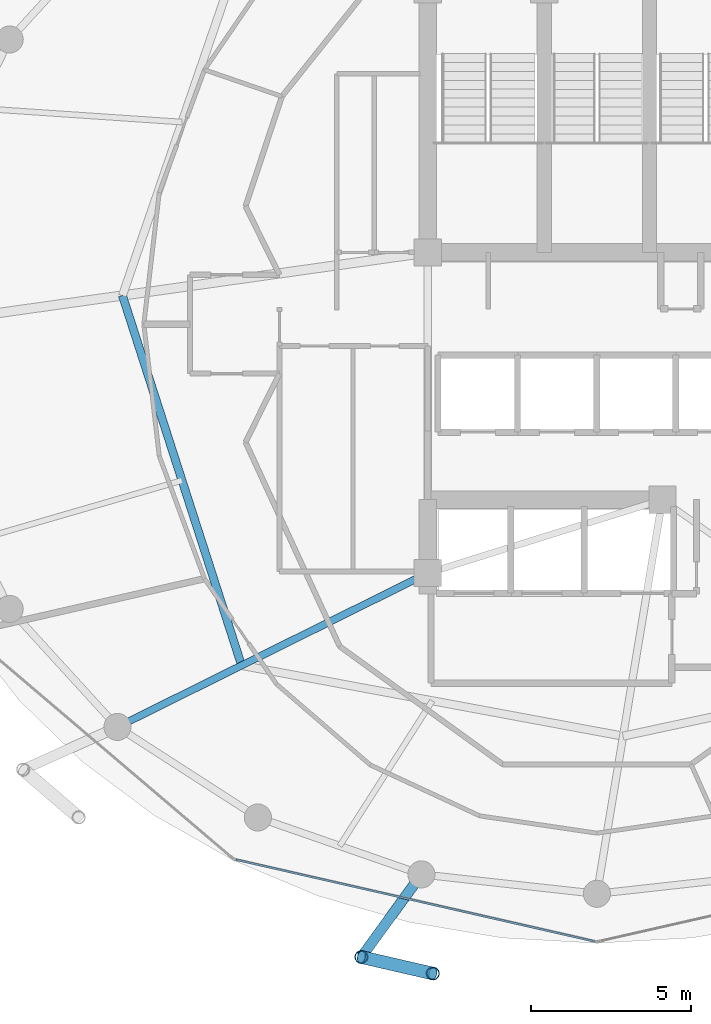
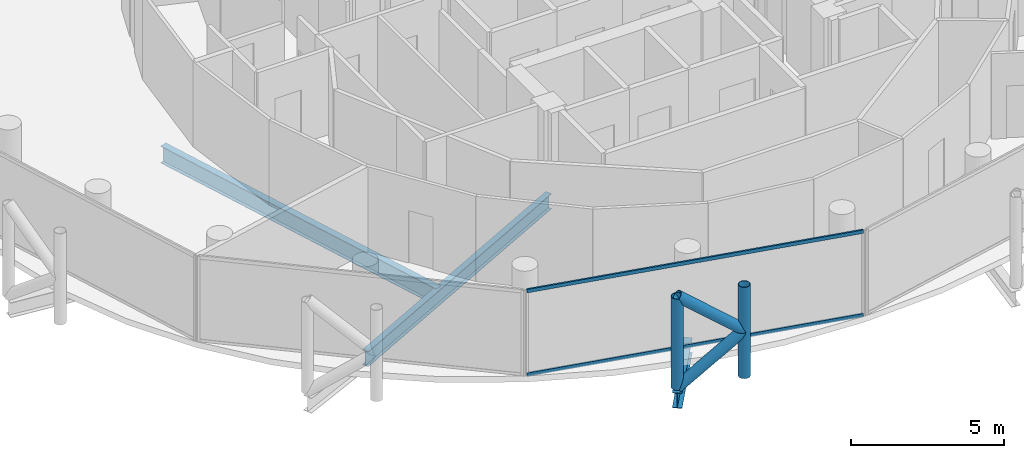
# One storey, part 4 of 27: 6 members, 3 beams, 1 element without a shape of its own.
"""IFC4 building model written with IfcOpenShell, lengths in metres."""

from ifc_helpers import new_model, si_unit, direction, frame, origin, origin_2d, place, context, subcontext, project, spatial, hollow_rectangle, hollow_circle, i_section, extrude, material, layer, layer_set, material_profile, profile_set, type_object, element, aggregate, save


model = new_model("IFC4")

# Units and contexts
model_context = context("Model", 3, precision=1e-05, world=origin(), true_north=direction((0.0, 1.0)))
body_context = subcontext(model_context, "Body", "Model", "MODEL_VIEW")
ifc_project = project(units=[si_unit("LENGTHUNIT", "METRE"), si_unit("AREAUNIT", "SQUARE_METRE"), si_unit("VOLUMEUNIT", "CUBIC_METRE"), si_unit("PLANEANGLEUNIT", "RADIAN"), si_unit("MASSUNIT", "GRAM", prefix="KILO")], contexts=[model_context])

# Site, building, storey
site_placement = place(None, origin())
site = spatial("IfcSite", under=ifc_project, at=site_placement, CompositionType="ELEMENT")
building_placement = place(site_placement, origin())
building = spatial("IfcBuilding", under=site, at=building_placement, Name="Nuhasar Tower", CompositionType="ELEMENT")
storey_placement = place(building_placement, frame((0.0, 0.0, 208.14990234375)))
storey = spatial("IfcBuildingStorey", under=building, at=storey_placement, Name="L50", CompositionType="ELEMENT", Elevation=208.14990234375)

# Beams
ifc_material_1 = material(Name="Steel S355", Category="steel")
ifc_material_profile_1 = material_profile(ifc_material_1, i_section(OverallWidth=0.25390625, OverallDepth=0.68408203125, WebThickness=0.012451171875, FlangeThickness=0.018798828125, at=origin_2d()), Name="W27X94")
ifc_profile_set_1 = profile_set([ifc_material_profile_1], Name="Steel S355")
beam_type_1 = type_object("IfcBeamType", Name="BM-INRING-W27X94", PredefinedType="BEAM", material=ifc_profile_set_1)
beam_1_placement = place(storey_placement, frame((24.1298828125, 27.699951171875, -0.581787109375), z_axis=(0.306589852134, -0.951841721385, 0.0), x_axis=(0.951841721385, 0.306589852134, 0.0)))
element("IfcBeam", 1, at=beam_1_placement, inside=storey, type_object=beam_type_1, Name="L50 Inner Header Beam 08", PredefinedType="BEAM", context=body_context, shape_type="SweptSolid", body=[
    extrude(i_section(OverallWidth=0.25390625, OverallDepth=0.68408203125, WebThickness=0.012451171875, FlangeThickness=0.018798828125, at=origin_2d()), origin(), (0.0, 0.0, 1.0), 12.179443359375),
])
ifc_material_profile_2 = material_profile(ifc_material_1, i_section(OverallWidth=0.22900390625, OverallDepth=0.612060546875, WebThickness=0.011962890625, FlangeThickness=0.01953125, at=origin_2d()), Name="W24X84")
ifc_profile_set_2 = profile_set([ifc_material_profile_2], Name="Steel S355")
beam_type_2 = type_object("IfcBeamType", Name="BM-RAD-W24X84", PredefinedType="BEAM", material=ifc_profile_set_2)
beam_2_placement = place(storey_placement, frame((33.699951171875, 19.0, -0.5458984375), z_axis=(-0.895928935233, -0.444197414459, 0.0), x_axis=(0.444197414459, -0.895928935233, 0.0)))
element("IfcBeam", 2, at=beam_2_placement, inside=storey, type_object=beam_type_2, Name="L50 Radial Floor Girder 01", PredefinedType="BEAM", context=body_context, shape_type="SweptSolid", body=[
    extrude(i_section(OverallWidth=0.22900390625, OverallDepth=0.612060546875, WebThickness=0.011962890625, FlangeThickness=0.01953125, at=origin_2d()), origin(), (0.0, 0.0, 1.0), 10.85546875),
])
ifc_material_profile_3 = material_profile(ifc_material_1, i_section(OverallWidth=0.323974609375, OverallDepth=0.611083984375, WebThickness=0.0126953125, FlangeThickness=0.01904296875, at=origin_2d()), Name="W24X104")
ifc_profile_set_3 = profile_set([ifc_material_profile_3], Name="Steel S355")
beam_type_3 = type_object("IfcBeamType", Name="BM-TIE-W24X104", PredefinedType="BEAM", material=ifc_profile_set_3)
beam_3_placement = place(storey_placement, frame((33.5, 9.55810546875, -0.544921875), z_axis=(-0.588094663461, -0.808792103577, 0.0), x_axis=(0.808792103577, -0.588094663461, 0.0)))
element("IfcBeam", 3, at=beam_3_placement, inside=storey, type_object=beam_type_3, Name="L50 Exoskeleton Node Tie Beam 09", PredefinedType="BEAM", context=body_context, shape_type="SweptSolid", body=[
    extrude(i_section(OverallWidth=0.323974609375, OverallDepth=0.611083984375, WebThickness=0.0126953125, FlangeThickness=0.01904296875, at=origin_2d()), origin(), (0.0, 0.0, 1.0), 3.20361328125),
])

# Curtain wall, members
ifc_material_2 = material(Name="Aluminium 6063-T6", Category="aluminium")
ifc_layer = layer(ifc_material_2, 0.18994140625)
ifc_layer_set = layer_set([ifc_layer], Name="Aluminium 6063-T6")
curtain_wall_type = type_object("IfcCurtainWallType", Name="CW-Z3-RES", PredefinedType="NOTDEFINED", material=ifc_layer_set)
curtain_wall_placement = place(storey_placement, origin())
curtain_wall = element("IfcCurtainWall", 4, at=curtain_wall_placement, inside=storey, type_object=curtain_wall_type, Name="L50 Unitised Curtain Wall 09", PredefinedType="NOTDEFINED")
ifc_material_profile_4 = material_profile(ifc_material_2, hollow_rectangle(XDim=0.06494140625, YDim=0.139892578125, WallThickness=0.00439453125, at=origin_2d()), Name="CWT-4")
ifc_profile_set_4 = profile_set([ifc_material_profile_4], Name="Aluminium 6063-T6")
member_type_1 = type_object("IfcMemberType", Name="CW-TRN-S4", PredefinedType="USERDEFINED", material=ifc_profile_set_4)
member_1_placement = place(storey_placement, frame((27.683349609375, 10.01953125, 0.03271484375), z_axis=(0.974989487479, -0.222250982686, 0.0), x_axis=(0.222250982686, 0.974989487479, 0.0)))
member_1 = element("IfcMember", 5, at=member_1_placement, type_object=member_type_1, Name="CW-Z3 transom 1.1", ObjectType="TRANSOM", PredefinedType="USERDEFINED", context=body_context, shape_type="SweptSolid", body=[
    extrude(hollow_rectangle(XDim=0.06494140625, YDim=0.139892578125, WallThickness=0.00439453125, at=origin_2d()), origin(), (0.0, 0.0, 1.0), 11.541748046875),
])
member_2_placement = place(storey_placement, frame((27.683349609375, 10.01953125, 3.377685546875), z_axis=(0.974989487479, -0.222250982686, 0.0), x_axis=(0.222250982686, 0.974989487479, 0.0)))
member_2 = element("IfcMember", 6, at=member_2_placement, type_object=member_type_1, Name="CW-Z3 transom 1.2", ObjectType="TRANSOM", PredefinedType="USERDEFINED", context=body_context, shape_type="SweptSolid", body=[
    extrude(hollow_rectangle(XDim=0.06494140625, YDim=0.139892578125, WallThickness=0.00439453125, at=origin_2d()), origin(), (0.0, 0.0, 1.0), 11.541748046875),
])
aggregate(curtain_wall, [member_1, member_2])

# Members
ifc_material_3 = material(Name="Steel S460", Category="steel")
ifc_material_profile_5 = material_profile(ifc_material_3, hollow_circle(Radius=0.203125, WallThickness=0.01904296875, at=origin_2d()), Name="HSS406.4X19.1")
ifc_profile_set_5 = profile_set([ifc_material_profile_5], Name="Steel S460")
member_type_2 = type_object("IfcMemberType", Name="EXO-BRONZE-406", PredefinedType="BRACE", material=ifc_profile_set_5)
for number, where, z_axis, x_axis, name in (
    (7, (31.615966796875, 6.967041015625, 0.0), (0.0, 0.0, 1.0), (1.0, 0.0, 0.0), "L50 Exoskeleton Chord Column EC-09A"),
    (8, (33.85693359375, 6.450927734375, 0.0), (0.0, 0.0, 1.0), (1.0, 0.0, 0.0), "L50 Exoskeleton Chord Column EC-09B"),
):
    element("IfcMember", number, at=place(storey_placement, frame(where, z_axis=z_axis, x_axis=x_axis)), inside=storey, type_object=member_type_2, Name=name, PredefinedType="BRACE", context=body_context, shape_type="SweptSolid", body=[
        extrude(hollow_circle(Radius=0.203125, WallThickness=0.01904296875, at=origin_2d()), origin(), (0.0, 0.0, 1.0), 3.650146484375),
    ])
member_3_placement = place(storey_placement, frame((31.615966796875, 6.967041015625, 0.0), z_axis=(0.763292124721, -0.175792521153, 0.621676862884), x_axis=(0.224433035437, 0.97448951385, 0.0)))
element("IfcMember", 9, at=member_3_placement, inside=storey, type_object=member_type_2, Name="L50 Bronze Diagrid Brace W1-09", PredefinedType="BRACE", context=body_context, shape_type="SweptSolid", body=[
    extrude(hollow_circle(Radius=0.203125, WallThickness=0.01904296875, at=origin_2d()), origin(), (0.0, 0.0, 1.0), 2.93603515625),
])
member_4_placement = place(storey_placement, frame((33.85693359375, 6.450927734375, 1.8251953125), z_axis=(-0.76333158458, 0.175801609086, 0.621625841021), x_axis=(-0.224433035437, -0.97448951385, 0.0)))
element("IfcMember", 10, at=member_4_placement, inside=storey, type_object=member_type_2, Name="L50 Bronze Diagrid Brace W2-09", PredefinedType="BRACE", context=body_context, shape_type="SweptSolid", body=[
    extrude(hollow_circle(Radius=0.203125, WallThickness=0.01904296875, at=origin_2d()), origin(), (0.0, 0.0, 1.0), 2.935791015625),
])

save(model, "model.ifc")
